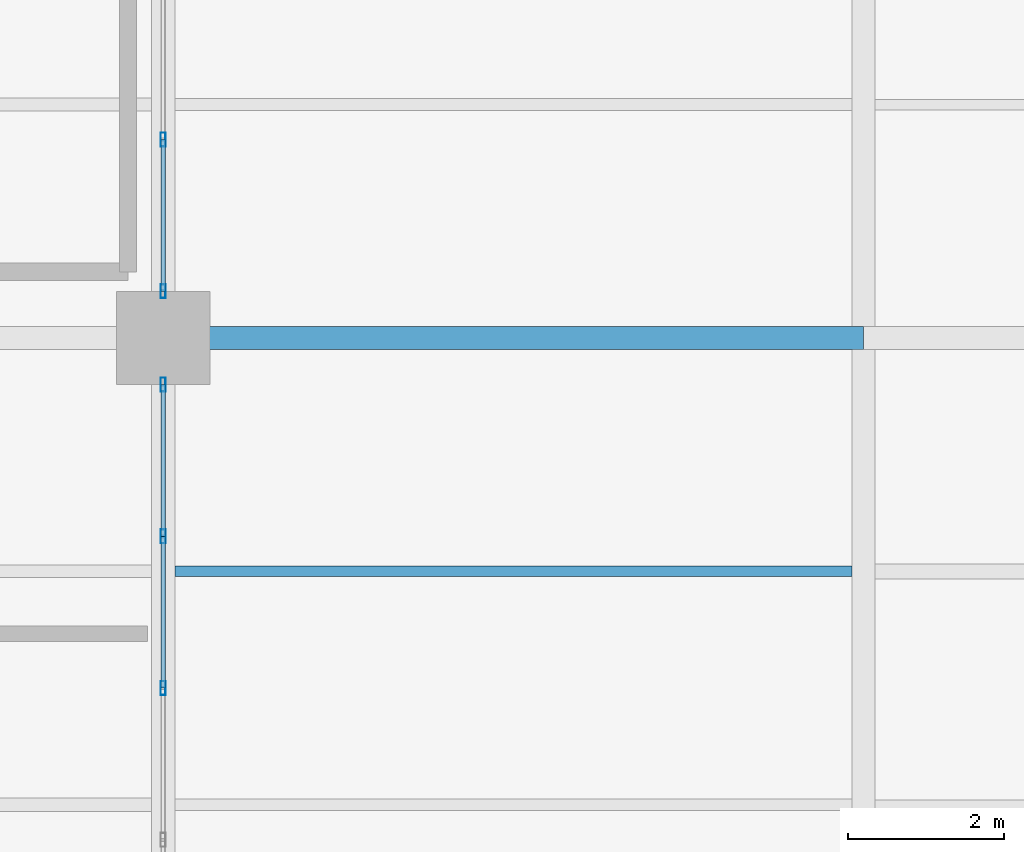
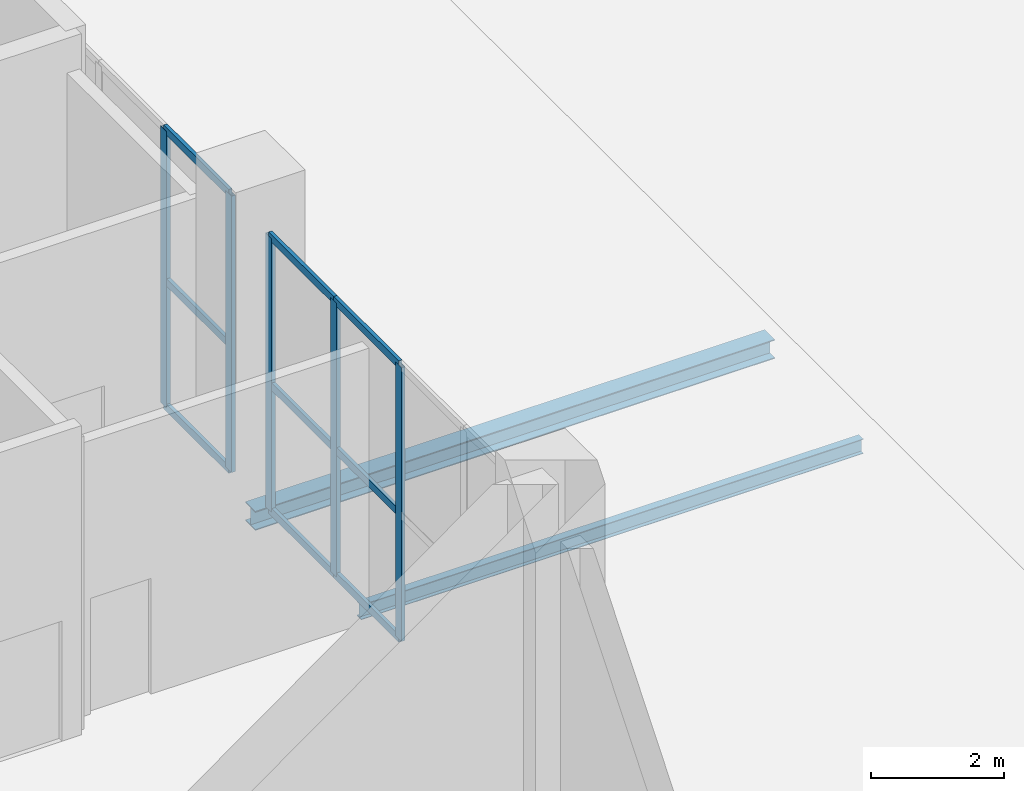
# One storey, part 62 of 144: 14 members, 2 beams, 2 elements without a shape of their own.
"""IFC4 building model written with IfcOpenShell, lengths in metres."""

from ifc_helpers import new_model, si_unit, direction, frame, origin, origin_2d, place, context, subcontext, project, spatial, hollow_rectangle, i_section, extrude, material, layer, layer_set, material_profile, profile_set, type_object, element, aggregate, save


model = new_model("IFC4")

# Units and contexts
model_context = context("Model", 3, precision=1e-05, world=origin(), true_north=direction((0.0, 1.0)))
body_context = subcontext(model_context, "Body", "Model", "MODEL_VIEW")
ifc_project = project(units=[si_unit("LENGTHUNIT", "METRE"), si_unit("AREAUNIT", "SQUARE_METRE"), si_unit("VOLUMEUNIT", "CUBIC_METRE"), si_unit("PLANEANGLEUNIT", "RADIAN"), si_unit("MASSUNIT", "GRAM", prefix="KILO")], contexts=[model_context])

# Site, building, storey
site_placement = place(None, origin())
site = spatial("IfcSite", under=ifc_project, at=site_placement, CompositionType="ELEMENT")
building_placement = place(site_placement, origin())
building = spatial("IfcBuilding", under=site, at=building_placement, Name="Sundgate Opera House", CompositionType="ELEMENT")
storey_placement = place(building_placement, origin())
storey = spatial("IfcBuildingStorey", under=building, at=storey_placement, Name="L00", CompositionType="ELEMENT", Elevation=0.0)

# Beams
ifc_material_1 = material(Name="Steel S355J2", Category="steel")
ifc_material_profile_1 = material_profile(ifc_material_1, i_section(OverallWidth=0.300048828125, OverallDepth=0.35009765625, WebThickness=0.010009765625, FlangeThickness=0.017578125, at=origin_2d()), Name="HEA 360")
ifc_profile_set_1 = profile_set([ifc_material_profile_1], Name="Steel S355J2")
beam_type_1 = type_object("IfcBeamType", Name="BM-GR-HEA360", PredefinedType="BEAM", material=ifc_profile_set_1)
beam_1_placement = place(storey_placement, frame((72.0, 69.0, -0.4951171875), z_axis=(1.0, 0.0, 0.0), x_axis=(0.0, 1.0, 0.0)))
element("IfcBeam", 1, at=beam_1_placement, inside=storey, type_object=beam_type_1, Name="L00 Primary E-W Girder B0466", PredefinedType="BEAM", context=body_context, shape_type="SweptSolid", body=[
    extrude(i_section(OverallWidth=0.300048828125, OverallDepth=0.35009765625, WebThickness=0.010009765625, FlangeThickness=0.017578125, at=origin_2d()), origin(), (0.0, 0.0, 1.0), 9.0),
])
ifc_material_2 = material(Name="Steel S355J2", Category="steel")
ifc_material_profile_2 = material_profile(ifc_material_2, i_section(OverallWidth=0.135009765625, OverallDepth=0.27001953125, WebThickness=0.006591796875, FlangeThickness=0.01025390625, at=origin_2d()), Name="IPE 270")
ifc_profile_set_2 = profile_set([ifc_material_profile_2], Name="Steel S355J2")
beam_type_2 = type_object("IfcBeamType", Name="BM-JS-IPE270", PredefinedType="JOIST", material=ifc_profile_set_2)
beam_2_placement = place(storey_placement, frame((72.14990234375, 66.0, -0.455078125), z_axis=(1.0, 0.0, 0.0), x_axis=(0.0, 1.0, 0.0)))
element("IfcBeam", 2, at=beam_2_placement, inside=storey, type_object=beam_type_2, Name="L00 Secondary Floor Joist B0817", PredefinedType="JOIST", context=body_context, shape_type="SweptSolid", body=[
    extrude(i_section(OverallWidth=0.135009765625, OverallDepth=0.27001953125, WebThickness=0.006591796875, FlangeThickness=0.01025390625, at=origin_2d()), origin(), (0.0, 0.0, 1.0), 8.7001953125),
])

# Curtain wall, members
ifc_material_3 = material(Name="Anodized aluminium and low-iron glass", Category="aluminium")
ifc_layer = layer(ifc_material_3, 0.179931640625)
ifc_layer_set = layer_set([ifc_layer], Name="Anodized aluminium and low-iron glass")
curtain_wall_type = type_object("IfcCurtainWallType", Name="CW-FOYER-GLASS", PredefinedType="NOTDEFINED", material=ifc_layer_set)
curtain_wall_1_placement = place(storey_placement, origin())
curtain_wall_1 = element("IfcCurtainWall", 3, at=curtain_wall_1_placement, inside=storey, type_object=curtain_wall_type, Name="L00 Curtain Wall CW009", PredefinedType="NOTDEFINED")
ifc_material_4 = material(Name="Anodized aluminium EN AW-6063", Category="aluminium")
ifc_material_profile_3 = material_profile(ifc_material_4, hollow_rectangle(XDim=0.06494140625, YDim=0.179931640625, WallThickness=0.00390625, at=origin_2d()), Name="CWM 180x65x4")
ifc_profile_set_3 = profile_set([ifc_material_profile_3], Name="Anodized aluminium EN AW-6063")
member_type_1 = type_object("IfcMemberType", Name="CWM-ALU-180x65", PredefinedType="MULLION", material=ifc_profile_set_3)
member_1_placement = place(storey_placement, frame((72.0, 64.5, 0.0), z_axis=(0.0, 0.0, 1.0), x_axis=(1.0, 0.0, 0.0)))
member_1 = element("IfcMember", 4, at=member_1_placement, type_object=member_type_1, Name="CW009 Mullion 3", PredefinedType="MULLION", context=body_context, shape_type="SweptSolid", body=[
    extrude(hollow_rectangle(XDim=0.06494140625, YDim=0.179931640625, WallThickness=0.00390625, at=origin_2d()), origin(), (0.0, 0.0, 1.0), 5.014892578125),
])
member_2_placement = place(storey_placement, frame((72.0, 66.449951171875, 0.0), z_axis=(0.0, 0.0, 1.0), x_axis=(1.0, 0.0, 0.0)))
member_2 = element("IfcMember", 5, at=member_2_placement, type_object=member_type_1, Name="CW009 Mullion 4", PredefinedType="MULLION", context=body_context, shape_type="SweptSolid", body=[
    extrude(hollow_rectangle(XDim=0.06494140625, YDim=0.179931640625, WallThickness=0.00390625, at=origin_2d()), origin(), (0.0, 0.0, 1.0), 5.014892578125),
])
member_3_placement = place(storey_placement, frame((72.0, 68.39990234375, 0.0), z_axis=(0.0, 0.0, 1.0), x_axis=(1.0, 0.0, 0.0)))
member_3 = element("IfcMember", 6, at=member_3_placement, type_object=member_type_1, Name="CW009 Mullion 5", PredefinedType="MULLION", context=body_context, shape_type="SweptSolid", body=[
    extrude(hollow_rectangle(XDim=0.06494140625, YDim=0.179931640625, WallThickness=0.00390625, at=origin_2d()), origin(), (0.0, 0.0, 1.0), 5.014892578125),
])

curtain_wall_2_placement = place(storey_placement, origin())
curtain_wall_2 = element("IfcCurtainWall", 7, at=curtain_wall_2_placement, inside=storey, type_object=curtain_wall_type, Name="L00 Curtain Wall CW010", PredefinedType="NOTDEFINED")
member_4_placement = place(storey_placement, frame((72.0, 69.60009765625, 0.0), z_axis=(0.0, 0.0, 1.0), x_axis=(1.0, 0.0, 0.0)))
member_4 = element("IfcMember", 8, at=member_4_placement, type_object=member_type_1, Name="CW010 Mullion 1", PredefinedType="MULLION", context=body_context, shape_type="SweptSolid", body=[
    extrude(hollow_rectangle(XDim=0.06494140625, YDim=0.179931640625, WallThickness=0.00390625, at=origin_2d()), origin(), (0.0, 0.0, 1.0), 5.06494140625),
])
member_5_placement = place(storey_placement, frame((72.0, 71.550048828125, 0.0), z_axis=(0.0, 0.0, 1.0), x_axis=(1.0, 0.0, 0.0)))
member_5 = element("IfcMember", 9, at=member_5_placement, type_object=member_type_1, Name="CW010 Mullion 2", PredefinedType="MULLION", context=body_context, shape_type="SweptSolid", body=[
    extrude(hollow_rectangle(XDim=0.06494140625, YDim=0.179931640625, WallThickness=0.00390625, at=origin_2d()), origin(), (0.0, 0.0, 1.0), 5.06494140625),
])

# Member
ifc_material_5 = material(Name="Anodized aluminium EN AW-6063", Category="aluminium")
ifc_material_profile_4 = material_profile(ifc_material_5, hollow_rectangle(XDim=0.06005859375, YDim=0.139892578125, WallThickness=0.00390625, at=origin_2d()), Name="CWT 140x60x4")
ifc_profile_set_4 = profile_set([ifc_material_profile_4], Name="Anodized aluminium EN AW-6063")
member_type_2 = type_object("IfcMemberType", Name="CWT-ALU-140x60", PredefinedType="USERDEFINED", material=ifc_profile_set_4)
member_6_placement = place(storey_placement, frame((72.0, 64.5, 0.0), z_axis=(0.0, 1.0, 0.0), x_axis=(-1.0, 0.0, 0.0)))
member_6 = element("IfcMember", 10, at=member_6_placement, type_object=member_type_2, Name="CW009 Transom 7", ObjectType="TRANSOM", PredefinedType="USERDEFINED", context=body_context, shape_type="SweptSolid", body=[
    extrude(hollow_rectangle(XDim=0.06005859375, YDim=0.139892578125, WallThickness=0.00390625, at=origin_2d()), origin(), (0.0, 0.0, 1.0), 1.949951171875),
])

member_7_placement = place(storey_placement, frame((72.0, 64.5, 2.300048828125), z_axis=(0.0, 1.0, 0.0), x_axis=(-1.0, 0.0, 0.0)))
member_7 = element("IfcMember", 11, at=member_7_placement, type_object=member_type_2, Name="CW009 Transom 8", ObjectType="TRANSOM", PredefinedType="USERDEFINED", context=body_context, shape_type="SweptSolid", body=[
    extrude(hollow_rectangle(XDim=0.06005859375, YDim=0.139892578125, WallThickness=0.00390625, at=origin_2d()), origin(), (0.0, 0.0, 1.0), 1.949951171875),
])

member_8_placement = place(storey_placement, frame((72.0, 64.5, 5.014892578125), z_axis=(0.0, 1.0, 0.0), x_axis=(-1.0, 0.0, 0.0)))
member_8 = element("IfcMember", 12, at=member_8_placement, type_object=member_type_2, Name="CW009 Transom 9", ObjectType="TRANSOM", PredefinedType="USERDEFINED", context=body_context, shape_type="SweptSolid", body=[
    extrude(hollow_rectangle(XDim=0.06005859375, YDim=0.139892578125, WallThickness=0.00390625, at=origin_2d()), origin(), (0.0, 0.0, 1.0), 1.949951171875),
])

member_9_placement = place(storey_placement, frame((72.0, 66.449951171875, 0.0), z_axis=(0.0, 1.0, 0.0), x_axis=(-1.0, 0.0, 0.0)))
member_9 = element("IfcMember", 13, at=member_9_placement, type_object=member_type_2, Name="CW009 Transom 10", ObjectType="TRANSOM", PredefinedType="USERDEFINED", context=body_context, shape_type="SweptSolid", body=[
    extrude(hollow_rectangle(XDim=0.06005859375, YDim=0.139892578125, WallThickness=0.00390625, at=origin_2d()), origin(), (0.0, 0.0, 1.0), 1.949951171875),
])

member_10_placement = place(storey_placement, frame((72.0, 66.449951171875, 2.300048828125), z_axis=(0.0, 1.0, 0.0), x_axis=(-1.0, 0.0, 0.0)))
member_10 = element("IfcMember", 14, at=member_10_placement, type_object=member_type_2, Name="CW009 Transom 11", ObjectType="TRANSOM", PredefinedType="USERDEFINED", context=body_context, shape_type="SweptSolid", body=[
    extrude(hollow_rectangle(XDim=0.06005859375, YDim=0.139892578125, WallThickness=0.00390625, at=origin_2d()), origin(), (0.0, 0.0, 1.0), 1.949951171875),
])

member_11_placement = place(storey_placement, frame((72.0, 66.449951171875, 5.014892578125), z_axis=(0.0, 1.0, 0.0), x_axis=(-1.0, 0.0, 0.0)))
member_11 = element("IfcMember", 15, at=member_11_placement, type_object=member_type_2, Name="CW009 Transom 12", ObjectType="TRANSOM", PredefinedType="USERDEFINED", context=body_context, shape_type="SweptSolid", body=[
    extrude(hollow_rectangle(XDim=0.06005859375, YDim=0.139892578125, WallThickness=0.00390625, at=origin_2d()), origin(), (0.0, 0.0, 1.0), 1.949951171875),
])

aggregate(curtain_wall_1, [member_1, member_2, member_3, member_6, member_7, member_8, member_9, member_10, member_11])

member_12_placement = place(storey_placement, frame((72.0, 69.60009765625, 0.0), z_axis=(0.0, 1.0, 0.0), x_axis=(-1.0, 0.0, 0.0)))
member_12 = element("IfcMember", 16, at=member_12_placement, type_object=member_type_2, Name="CW010 Transom 1", ObjectType="TRANSOM", PredefinedType="USERDEFINED", context=body_context, shape_type="SweptSolid", body=[
    extrude(hollow_rectangle(XDim=0.06005859375, YDim=0.139892578125, WallThickness=0.00390625, at=origin_2d()), origin(), (0.0, 0.0, 1.0), 1.949951171875),
])

member_13_placement = place(storey_placement, frame((72.0, 69.60009765625, 2.300048828125), z_axis=(0.0, 1.0, 0.0), x_axis=(-1.0, 0.0, 0.0)))
member_13 = element("IfcMember", 17, at=member_13_placement, type_object=member_type_2, Name="CW010 Transom 2", ObjectType="TRANSOM", PredefinedType="USERDEFINED", context=body_context, shape_type="SweptSolid", body=[
    extrude(hollow_rectangle(XDim=0.06005859375, YDim=0.139892578125, WallThickness=0.00390625, at=origin_2d()), origin(), (0.0, 0.0, 1.0), 1.949951171875),
])

member_14_placement = place(storey_placement, frame((72.0, 69.60009765625, 5.06494140625), z_axis=(0.0, 1.0, 0.0), x_axis=(-1.0, 0.0, 0.0)))
member_14 = element("IfcMember", 18, at=member_14_placement, type_object=member_type_2, Name="CW010 Transom 3", ObjectType="TRANSOM", PredefinedType="USERDEFINED", context=body_context, shape_type="SweptSolid", body=[
    extrude(hollow_rectangle(XDim=0.06005859375, YDim=0.139892578125, WallThickness=0.00390625, at=origin_2d()), origin(), (0.0, 0.0, 1.0), 1.949951171875),
])

aggregate(curtain_wall_2, [member_4, member_5, member_12, member_13, member_14])

save(model, "model.ifc")
